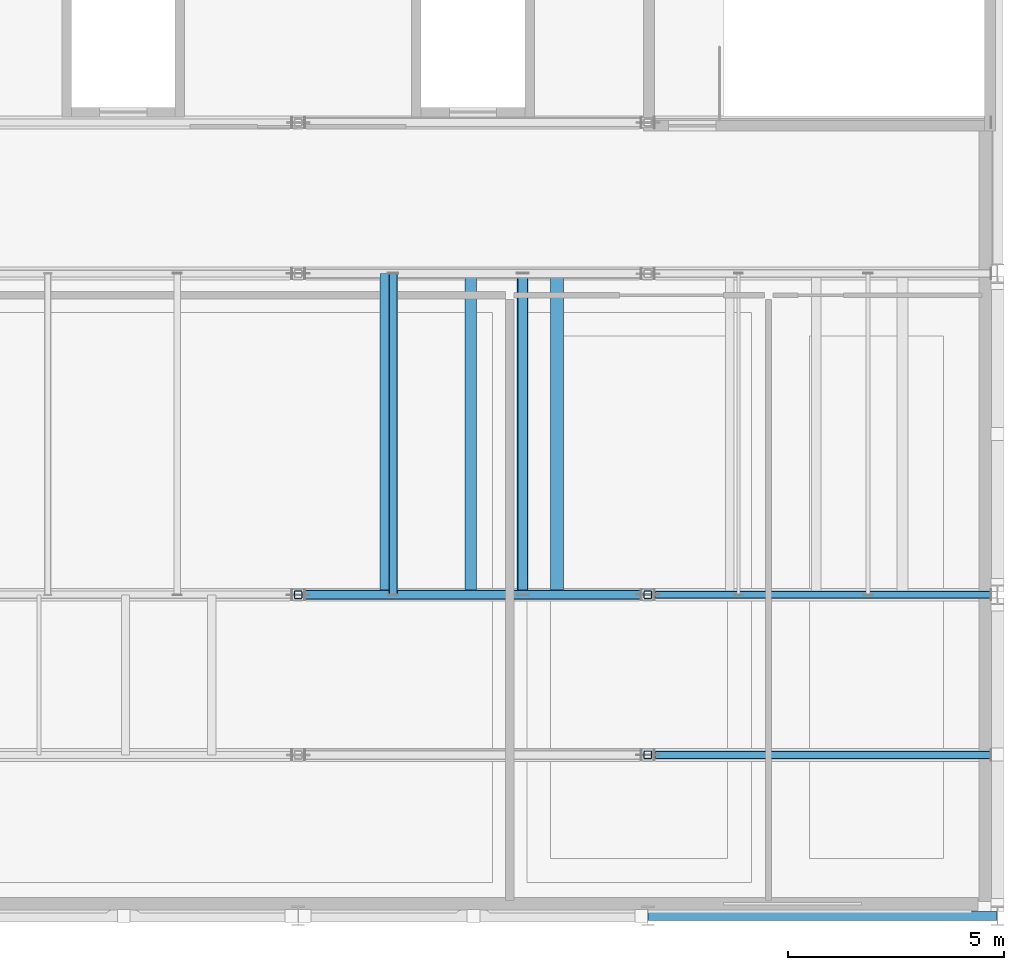
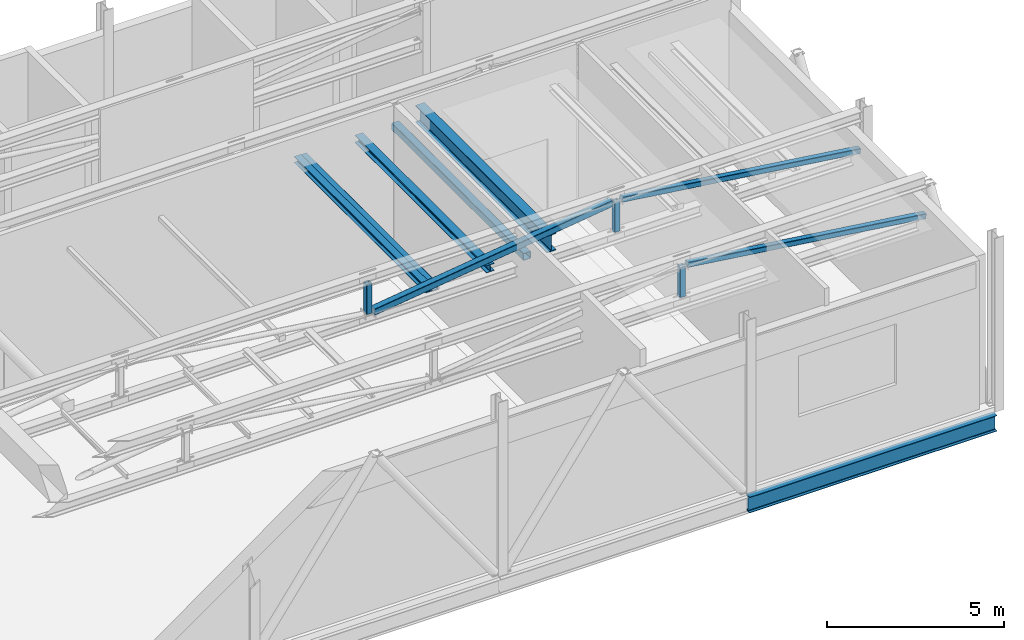
# One storey, part 6 of 21: 8 members, 4 beams.
"""IFC4 building model written with IfcOpenShell, lengths in metres."""

from ifc_helpers import new_model, si_unit, direction, frame, origin, origin_2d, place, context, subcontext, project, spatial, hollow_rectangle, i_section, extrude, material, material_profile, profile_set, type_object, element, save


model = new_model("IFC4")

# Units and contexts
model_context = context("Model", 3, precision=1e-05, world=origin(), true_north=direction((0.0, 1.0)))
body_context = subcontext(model_context, "Body", "Model", "MODEL_VIEW")
ifc_project = project(units=[si_unit("LENGTHUNIT", "METRE"), si_unit("AREAUNIT", "SQUARE_METRE"), si_unit("VOLUMEUNIT", "CUBIC_METRE"), si_unit("PLANEANGLEUNIT", "RADIAN"), si_unit("MASSUNIT", "GRAM", prefix="KILO")], contexts=[model_context])

# Site, building, storey
site_placement = place(None, origin())
site = spatial("IfcSite", under=ifc_project, at=site_placement, CompositionType="ELEMENT")
building_placement = place(site_placement, origin())
building = spatial("IfcBuilding", under=site, at=building_placement, Name="Kaelora Sail Theatre", CompositionType="ELEMENT")
storey_placement = place(building_placement, frame((0.0, 0.0, 27.60009765625)))
storey = spatial("IfcBuildingStorey", under=building, at=storey_placement, Name="L06", CompositionType="ELEMENT", Elevation=27.60009765625)

# Beams
ifc_material_1 = material(Name="Steel S355", Category="steel")
ifc_material_profile_1 = material_profile(ifc_material_1, i_section(OverallWidth=0.219970703125, OverallDepth=0.2099609375, WebThickness=0.007080078125, FlangeThickness=0.010986328125, FilletRadius=0.01806640625, at=origin_2d()), Name="HEA 220")
ifc_profile_set_1 = profile_set([ifc_material_profile_1], Name="Steel S355")
beam_type_1 = type_object("IfcBeamType", Name="STR-BM-BM-HEA220", PredefinedType="BEAM", material=ifc_profile_set_1)
beam_1_placement = place(storey_placement, frame((44.0, 68.4599609375, 4.534912109375), z_axis=(0.0, 1.0, 0.0), x_axis=(-1.0, 0.0, 0.0)))
element("IfcBeam", 1, at=beam_1_placement, inside=storey, type_object=beam_type_1, Name="Fly Tower rigging grid beam 07", PredefinedType="BEAM", context=body_context, shape_type="SweptSolid", body=[
    extrude(i_section(OverallWidth=0.219970703125, OverallDepth=0.2099609375, WebThickness=0.007080078125, FlangeThickness=0.010986328125, FilletRadius=0.01806640625, at=origin_2d()), origin(), (0.0, 0.0, 1.0), 7.43994140625),
])
ifc_material_2 = material(Name="Steel S355", Category="steel")
ifc_material_profile_2 = material_profile(ifc_material_2, i_section(OverallWidth=0.260009765625, OverallDepth=0.25, WebThickness=0.007568359375, FlangeThickness=0.012451171875, FilletRadius=0.02392578125, at=origin_2d()), Name="HEA 260")
ifc_profile_set_2 = profile_set([ifc_material_profile_2], Name="Steel S355")
beam_type_2 = type_object("IfcBeamType", Name="STR-BM-BM-HEA260", PredefinedType="BEAM", material=ifc_profile_set_2)
beam_2_placement = place(storey_placement, frame((46.0, 68.4599609375, 4.554931640625), z_axis=(0.0, 1.0, 0.0), x_axis=(-1.0, 0.0, 0.0)))
element("IfcBeam", 2, at=beam_2_placement, inside=storey, type_object=beam_type_2, Name="Fly Tower rigging grid beam 08", PredefinedType="BEAM", context=body_context, shape_type="SweptSolid", body=[
    extrude(i_section(OverallWidth=0.260009765625, OverallDepth=0.25, WebThickness=0.007568359375, FlangeThickness=0.012451171875, FilletRadius=0.02392578125, at=origin_2d()), origin(), (0.0, 0.0, 1.0), 7.43994140625),
])
ifc_material_3 = material(Name="Steel S355", Category="steel")
ifc_material_profile_3 = material_profile(ifc_material_3, i_section(OverallWidth=0.300048828125, OverallDepth=0.590087890625, WebThickness=0.012939453125, FlangeThickness=0.02490234375, FilletRadius=0.027099609375, at=origin_2d()), Name="HEA 600")
ifc_profile_set_3 = profile_set([ifc_material_profile_3], Name="Steel S355")
beam_type_3 = type_object("IfcBeamType", Name="STR-BM-BM-HEA600", PredefinedType="USERDEFINED", material=ifc_profile_set_3)
beam_3_placement = place(storey_placement, frame((48.0, 68.4599609375, 4.724853515625), z_axis=(0.0, 1.0, 0.0), x_axis=(-1.0, 0.0, 0.0)))
element("IfcBeam", 3, at=beam_3_placement, inside=storey, type_object=beam_type_3, Name="Fly Tower rigging grid beam 09", ObjectType="GIRDER", PredefinedType="USERDEFINED", context=body_context, shape_type="SweptSolid", body=[
    extrude(i_section(OverallWidth=0.300048828125, OverallDepth=0.590087890625, WebThickness=0.012939453125, FlangeThickness=0.02490234375, FilletRadius=0.027099609375, at=origin_2d()), origin(), (0.0, 0.0, 1.0), 7.43994140625),
])
ifc_material_4 = material(Name="Steel S355", Category="steel")
ifc_material_profile_4 = material_profile(ifc_material_4, i_section(OverallWidth=0.2099609375, OverallDepth=0.550048828125, WebThickness=0.010986328125, FlangeThickness=0.01708984375, FilletRadius=0.02392578125, at=origin_2d()), Name="IPE 550")
ifc_profile_set_4 = profile_set([ifc_material_profile_4], Name="Steel S355")
beam_type_4 = type_object("IfcBeamType", Name="STR-BM-BM-IPE550", PredefinedType="USERDEFINED", material=ifc_profile_set_4)
beam_4_placement = place(storey_placement, frame((50.10888671875, 61.02001953125, -0.4951171875), z_axis=(1.0, 0.0, 0.0), x_axis=(0.0, 1.0, 0.0)))
element("IfcBeam", 4, at=beam_4_placement, inside=storey, type_object=beam_type_4, Name="Primary beam I 7-8 (L06)", ObjectType="GIRDER", PredefinedType="USERDEFINED", context=body_context, shape_type="SweptSolid", body=[
    extrude(i_section(OverallWidth=0.2099609375, OverallDepth=0.550048828125, WebThickness=0.010986328125, FlangeThickness=0.01708984375, FilletRadius=0.02392578125, at=origin_2d()), origin(), (0.0, 0.0, 1.0), 8.08203125),
])

# Members
ifc_material_5 = material(Name="Steel S355", Category="steel")
ifc_material_profile_5 = material_profile(ifc_material_5, hollow_rectangle(XDim=0.179931640625, YDim=0.179931640625, WallThickness=0.010009765625, InnerFilletRadius=0.010009765625, OuterFilletRadius=0.02001953125, at=origin_2d()), Name="SHS 180x180x10.0")
ifc_profile_set_5 = profile_set([ifc_material_profile_5], Name="Steel S355")
member_type_1 = type_object("IfcMemberType", Name="STR-MEM-ST-SHS180", PredefinedType="STRUT", material=ifc_profile_set_5)
member_1_placement = place(storey_placement, frame((50.260009765625, 64.75, 5.469970703125), z_axis=(0.99118274936, 0.0, -0.132501914591), x_axis=(0.0, 1.0, 0.0)))
element("IfcMember", 5, at=member_1_placement, inside=storey, type_object=member_type_1, Name="TDG-01 Fly Tower truss 1 web diagonal 4", PredefinedType="STRUT", context=body_context, shape_type="SweptSolid", body=[
    extrude(hollow_rectangle(XDim=0.179931640625, YDim=0.179931640625, WallThickness=0.010009765625, InnerFilletRadius=0.010009765625, OuterFilletRadius=0.02001953125, at=origin_2d()), origin(), (0.0, 0.0, 1.0), 7.84912109375),
])
member_2_placement = place(storey_placement, frame((50.10009765625, 64.75, 4.429931640625), z_axis=(0.0, 0.0, 1.0), x_axis=(1.0, 0.0, 0.0)))
element("IfcMember", 6, at=member_2_placement, inside=storey, type_object=member_type_1, Name="TVT-01 Fly Tower truss 1 vertical strut 3", PredefinedType="STRUT", context=body_context, shape_type="SweptSolid", body=[
    extrude(hollow_rectangle(XDim=0.179931640625, YDim=0.179931640625, WallThickness=0.010009765625, InnerFilletRadius=0.010009765625, OuterFilletRadius=0.02001953125, at=origin_2d()), origin(), (0.0, 0.0, 1.0), 1.0400390625),
])
member_3_placement = place(storey_placement, frame((50.260009765625, 68.4599609375, 5.469970703125), z_axis=(0.99118274936, 0.0, -0.132501914591), x_axis=(0.0, 1.0, 0.0)))
element("IfcMember", 7, at=member_3_placement, inside=storey, type_object=member_type_1, Name="TDG-01 Fly Tower truss 2 web diagonal 4", PredefinedType="STRUT", context=body_context, shape_type="SweptSolid", body=[
    extrude(hollow_rectangle(XDim=0.179931640625, YDim=0.179931640625, WallThickness=0.010009765625, InnerFilletRadius=0.010009765625, OuterFilletRadius=0.02001953125, at=origin_2d()), origin(), (0.0, 0.0, 1.0), 7.84912109375),
])
for number, where, z_axis, x_axis, name in (
    (8, (42.0, 68.4599609375, 4.429931640625), (0.0, 0.0, 1.0), (1.0, 0.0, 0.0), "TVT-01 Fly Tower truss 2 vertical strut 2"),
    (9, (50.10009765625, 68.4599609375, 4.429931640625), (0.0, 0.0, 1.0), (1.0, 0.0, 0.0), "TVT-01 Fly Tower truss 2 vertical strut 3"),
):
    element("IfcMember", number, at=place(storey_placement, frame(where, z_axis=z_axis, x_axis=x_axis)), inside=storey, type_object=member_type_1, Name=name, PredefinedType="STRUT", context=body_context, shape_type="SweptSolid", body=[
        extrude(hollow_rectangle(XDim=0.179931640625, YDim=0.179931640625, WallThickness=0.010009765625, InnerFilletRadius=0.010009765625, OuterFilletRadius=0.02001953125, at=origin_2d()), origin(), (0.0, 0.0, 1.0), 1.0400390625),
    ])
ifc_material_6 = material(Name="Steel S355", Category="steel")
ifc_material_profile_6 = material_profile(ifc_material_6, hollow_rectangle(XDim=0.199951171875, YDim=0.199951171875, WallThickness=0.010009765625, InnerFilletRadius=0.010009765625, OuterFilletRadius=0.02001953125, at=origin_2d()), Name="SHS 200x200x10.0")
ifc_profile_set_6 = profile_set([ifc_material_profile_6], Name="Steel S355")
member_type_2 = type_object("IfcMemberType", Name="STR-MEM-ST-SHS200", PredefinedType="STRUT", material=ifc_profile_set_6)
member_4_placement = place(storey_placement, frame((44.199951171875, 68.4599609375, 4.52978515625), z_axis=(0.0, 1.0, 0.0), x_axis=(-1.0, 0.0, 0.0)))
element("IfcMember", 10, at=member_4_placement, inside=storey, type_object=member_type_2, Name="HTB-01 Fly Tower headblock tie brace 06", PredefinedType="STRUT", context=body_context, shape_type="SweptSolid", body=[
    extrude(hollow_rectangle(XDim=0.199951171875, YDim=0.199951171875, WallThickness=0.010009765625, InnerFilletRadius=0.010009765625, OuterFilletRadius=0.02001953125, at=origin_2d()), origin(), (0.0, 0.0, 1.0), 7.43994140625),
])
ifc_material_7 = material(Name="Steel S355", Category="steel")
ifc_material_profile_7 = material_profile(ifc_material_7, hollow_rectangle(XDim=0.219970703125, YDim=0.219970703125, WallThickness=0.012451171875, InnerFilletRadius=0.012451171875, OuterFilletRadius=0.02490234375, at=origin_2d()), Name="SHS 220x220x12.5")
ifc_profile_set_7 = profile_set([ifc_material_profile_7], Name="Steel S355")
member_type_3 = type_object("IfcMemberType", Name="STR-MEM-ST-SHS220", PredefinedType="STRUT", material=ifc_profile_set_7)
member_5_placement = place(storey_placement, frame((42.159912109375, 68.4599609375, 4.429931640625), z_axis=(0.99118274936, 0.0, 0.132501914591), x_axis=(0.0, 1.0, 0.0)))
element("IfcMember", 11, at=member_5_placement, inside=storey, type_object=member_type_3, Name="TDG-01 Fly Tower truss 2 web diagonal 3", PredefinedType="STRUT", context=body_context, shape_type="SweptSolid", body=[
    extrude(hollow_rectangle(XDim=0.219970703125, YDim=0.219970703125, WallThickness=0.012451171875, InnerFilletRadius=0.012451171875, OuterFilletRadius=0.02490234375, at=origin_2d()), origin(), (0.0, 0.0, 1.0), 7.84912109375),
])
ifc_material_8 = material(Name="Steel S355", Category="steel")
ifc_material_profile_8 = material_profile(ifc_material_8, hollow_rectangle(XDim=0.25, YDim=0.25, WallThickness=0.012451171875, InnerFilletRadius=0.012451171875, OuterFilletRadius=0.02490234375, at=origin_2d()), Name="SHS 250x250x12.5")
ifc_profile_set_8 = profile_set([ifc_material_profile_8], Name="Steel S355")
member_type_4 = type_object("IfcMemberType", Name="STR-MEM-ST-SHS250", PredefinedType="STRUT", material=ifc_profile_set_8)
member_6_placement = place(storey_placement, frame((47.199951171875, 68.4599609375, 4.554931640625), z_axis=(0.0, 1.0, 0.0), x_axis=(-1.0, 0.0, 0.0)))
element("IfcMember", 12, at=member_6_placement, inside=storey, type_object=member_type_4, Name="HTB-01 Fly Tower headblock tie brace 07", PredefinedType="STRUT", context=body_context, shape_type="SweptSolid", body=[
    extrude(hollow_rectangle(XDim=0.25, YDim=0.25, WallThickness=0.012451171875, InnerFilletRadius=0.012451171875, OuterFilletRadius=0.02490234375, at=origin_2d()), origin(), (0.0, 0.0, 1.0), 7.43994140625),
])

save(model, "model.ifc")
